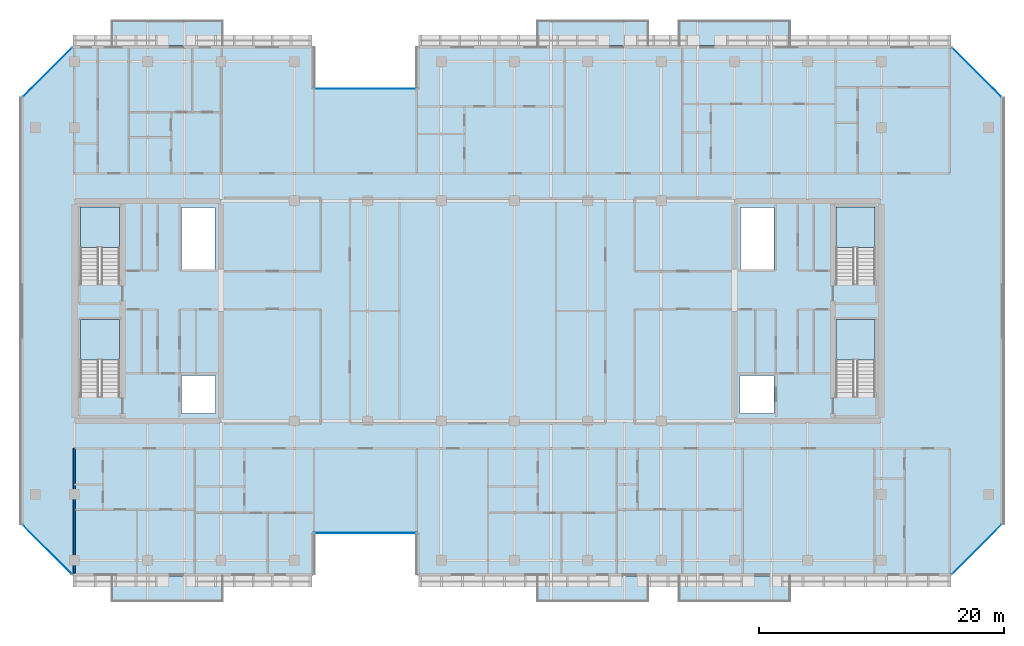
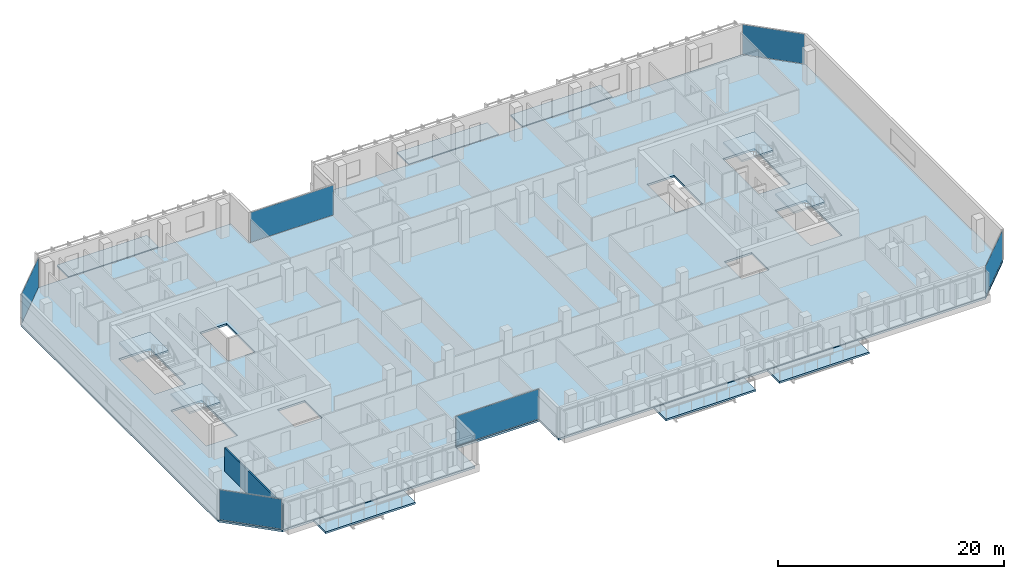
# One storey, part 18 of 31: 11 slabs, 6 plates, 1 wall, 10 elements without a shape of their own.
"""IFC4 building model written with IfcOpenShell, lengths in metres."""

from ifc_helpers import new_model, si_unit, direction, frame, frame_2d, origin, origin_2d, place, context, subcontext, project, spatial, polyline, rectangle, outline, extrude, material, layer, layer_set, type_object, element, aggregate, save


model = new_model("IFC4")

# Units and contexts
model_context = context("Model", 3, precision=1e-05, world=origin(), true_north=direction((0.0, 1.0)))
body_context = subcontext(model_context, "Body", "Model", "MODEL_VIEW")
ifc_project = project(units=[si_unit("LENGTHUNIT", "METRE"), si_unit("AREAUNIT", "SQUARE_METRE"), si_unit("VOLUMEUNIT", "CUBIC_METRE"), si_unit("PLANEANGLEUNIT", "RADIAN"), si_unit("MASSUNIT", "GRAM", prefix="KILO")], contexts=[model_context])

# Site, building, storey
site_placement = place(None, origin())
site = spatial("IfcSite", under=ifc_project, at=site_placement, CompositionType="ELEMENT")
building_placement = place(site_placement, origin())
building = spatial("IfcBuilding", under=site, at=building_placement, Name="Tanjung Sevakor Pilgrim Tower", CompositionType="ELEMENT")
storey_placement = place(building_placement, frame((0.0, 0.0, 169.2900390625)))
storey = spatial("IfcBuildingStorey", under=building, at=storey_placement, Name="L47", CompositionType="ELEMENT", Elevation=169.2900390625)

# Slabs
ifc_material_1 = material(Name="Concrete C40/50", Category="concrete")
ifc_layer_1 = layer(ifc_material_1, 0.199951171875)
ifc_layer_set_1 = layer_set([ifc_layer_1], Name="SL-BAL-200")
slab_type_1 = type_object("IfcSlabType", Name="SL-BAL-200", PredefinedType="FLOOR", material=ifc_layer_set_1)
slab_1_placement = place(storey_placement, frame((0.0, 0.0, -0.199951171875)))
element("IfcSlab", 1, at=slab_1_placement, inside=storey, type_object=slab_type_1, Name="L47 Planted Loggia Balcony MAIN-S1", PredefinedType="FLOOR", context=body_context, shape_type="SweptSolid", body=[
    extrude(outline(polyline([(27.0, 9.800048828125), (36.199951171875, 9.800048828125), (36.199951171875, 11.89990234375), (27.0, 11.89990234375), (27.0, 9.800048828125)])), origin(), (0.0, 0.0, 1.0), 0.199951171875),
])
slab_2_placement = place(storey_placement, frame((0.0, 0.0, -0.199951171875)))
element("IfcSlab", 2, at=slab_2_placement, inside=storey, type_object=slab_type_1, Name="L47 Planted Loggia Balcony MAIN-N1", PredefinedType="FLOOR", context=body_context, shape_type="SweptSolid", body=[
    extrude(outline(polyline([(27.0, 55.300048828125), (36.199951171875, 55.300048828125), (36.199951171875, 57.39990234375), (27.0, 57.39990234375), (27.0, 55.300048828125)])), origin(), (0.0, 0.0, 1.0), 0.199951171875),
])
slab_3_placement = place(storey_placement, frame((0.0, 0.0, -0.199951171875)))
element("IfcSlab", 3, at=slab_3_placement, inside=storey, type_object=slab_type_1, Name="L47 Planted Loggia Balcony MAIN-S2", PredefinedType="FLOOR", context=body_context, shape_type="SweptSolid", body=[
    extrude(outline(polyline([(61.800048828125, 9.800048828125), (71.0, 9.800048828125), (71.0, 11.89990234375), (61.800048828125, 11.89990234375), (61.800048828125, 9.800048828125)])), origin(), (0.0, 0.0, 1.0), 0.199951171875),
])
slab_4_placement = place(storey_placement, frame((0.0, 0.0, -0.199951171875)))
element("IfcSlab", 4, at=slab_4_placement, inside=storey, type_object=slab_type_1, Name="L47 Planted Loggia Balcony MAIN-N2", PredefinedType="FLOOR", context=body_context, shape_type="SweptSolid", body=[
    extrude(outline(polyline([(61.800048828125, 55.300048828125), (71.0, 55.300048828125), (71.0, 57.39990234375), (61.800048828125, 57.39990234375), (61.800048828125, 55.300048828125)])), origin(), (0.0, 0.0, 1.0), 0.199951171875),
])
slab_5_placement = place(storey_placement, frame((0.0, 0.0, -0.199951171875)))
element("IfcSlab", 5, at=slab_5_placement, inside=storey, type_object=slab_type_1, Name="L47 Planted Loggia Balcony MAIN-S3", PredefinedType="FLOOR", context=body_context, shape_type="SweptSolid", body=[
    extrude(outline(polyline([(73.39990234375, 9.800048828125), (82.60009765625, 9.800048828125), (82.60009765625, 11.89990234375), (73.39990234375, 11.89990234375), (73.39990234375, 9.800048828125)])), origin(), (0.0, 0.0, 1.0), 0.199951171875),
])
slab_6_placement = place(storey_placement, frame((0.0, 0.0, -0.199951171875)))
element("IfcSlab", 6, at=slab_6_placement, inside=storey, type_object=slab_type_1, Name="L47 Planted Loggia Balcony MAIN-N3", PredefinedType="FLOOR", context=body_context, shape_type="SweptSolid", body=[
    extrude(outline(polyline([(73.39990234375, 55.300048828125), (82.60009765625, 55.300048828125), (82.60009765625, 57.39990234375), (73.39990234375, 57.39990234375), (73.39990234375, 55.300048828125)])), origin(), (0.0, 0.0, 1.0), 0.199951171875),
])

# Stair, slab
ifc_material_2 = material(Name="Concrete C40/50", Category="concrete")
stair_type = type_object("IfcStairType", Name="STAIR-ST-CR150", PredefinedType="HALF_TURN_STAIR", material=ifc_material_2)
stair_1_placement = place(storey_placement, origin())
stair_1 = element("IfcStair", 7, at=stair_1_placement, inside=storey, type_object=stair_type, Name="L47 West Core Exit Stair 1", PredefinedType="HALF_TURN_STAIR")
ifc_material_3 = material(Name="Concrete C40/50", Category="concrete")
ifc_layer_2 = layer(ifc_material_3, 0.199951171875)
ifc_layer_set_2 = layer_set([ifc_layer_2], Name="SL-LAND-200")
slab_type_2 = type_object("IfcSlabType", Name="SL-LAND-200", PredefinedType="LANDING", material=ifc_layer_set_2)
slab_7_placement = place(storey_placement, frame((0.0, 0.0, 1.614990234375)))
slab_7 = element("IfcSlab", 8, at=slab_7_placement, type_object=slab_type_2, Name="TS-W1 landing 1", PredefinedType="LANDING", context=body_context, shape_type="SweptSolid", body=[
    extrude(outline(polyline([(27.699951171875, 29.60009765625), (27.699951171875, 32.89990234375), (24.5, 32.89990234375), (24.5, 29.60009765625), (27.699951171875, 29.60009765625)])), origin(), (0.0, 0.0, 1.0), 0.199951171875),
])
aggregate(stair_1, [slab_7])

stair_2_placement = place(storey_placement, origin())
stair_2 = element("IfcStair", 9, at=stair_2_placement, inside=storey, type_object=stair_type, Name="L47 West Core Exit Stair 2", PredefinedType="HALF_TURN_STAIR")
slab_8_placement = place(storey_placement, frame((0.0, 0.0, 1.614990234375)))
slab_8 = element("IfcSlab", 10, at=slab_8_placement, type_object=slab_type_2, Name="TS-W2 landing 1", PredefinedType="LANDING", context=body_context, shape_type="SweptSolid", body=[
    extrude(outline(polyline([(27.699951171875, 38.800048828125), (27.699951171875, 42.10009765625), (24.5, 42.10009765625), (24.5, 38.800048828125), (27.699951171875, 38.800048828125)])), origin(), (0.0, 0.0, 1.0), 0.199951171875),
])
aggregate(stair_2, [slab_8])

stair_3_placement = place(storey_placement, origin())
stair_3 = element("IfcStair", 11, at=stair_3_placement, inside=storey, type_object=stair_type, Name="L47 East Core Exit Stair 1", PredefinedType="HALF_TURN_STAIR")
slab_9_placement = place(storey_placement, frame((0.0, 0.0, 1.614990234375)))
slab_9 = element("IfcSlab", 12, at=slab_9_placement, type_object=slab_type_2, Name="TS-E1 landing 1", PredefinedType="LANDING", context=body_context, shape_type="SweptSolid", body=[
    extrude(outline(polyline([(89.5, 29.60009765625), (89.5, 32.89990234375), (86.300048828125, 32.89990234375), (86.300048828125, 29.60009765625), (89.5, 29.60009765625)])), origin(), (0.0, 0.0, 1.0), 0.199951171875),
])
aggregate(stair_3, [slab_9])

stair_4_placement = place(storey_placement, origin())
stair_4 = element("IfcStair", 13, at=stair_4_placement, inside=storey, type_object=stair_type, Name="L47 East Core Exit Stair 2", PredefinedType="HALF_TURN_STAIR")
slab_10_placement = place(storey_placement, frame((0.0, 0.0, 1.614990234375)))
slab_10 = element("IfcSlab", 14, at=slab_10_placement, type_object=slab_type_2, Name="TS-E2 landing 1", PredefinedType="LANDING", context=body_context, shape_type="SweptSolid", body=[
    extrude(outline(polyline([(89.5, 38.800048828125), (89.5, 42.10009765625), (86.300048828125, 42.10009765625), (86.300048828125, 38.800048828125), (89.5, 38.800048828125)])), origin(), (0.0, 0.0, 1.0), 0.199951171875),
])
aggregate(stair_4, [slab_10])

# Slab
ifc_material_4 = material(Name="Concrete C40/50", Category="concrete")
ifc_layer_3 = layer(ifc_material_4, 0.219970703125)
ifc_layer_set_3 = layer_set([ifc_layer_3], Name="SL-TWR-220")
slab_type_3 = type_object("IfcSlabType", Name="SL-TWR-220", PredefinedType="FLOOR", material=ifc_layer_set_3)
slab_11_placement = place(storey_placement, frame((0.0, 0.0, -0.219970703125)))
element("IfcSlab", 15, at=slab_11_placement, inside=storey, type_object=slab_type_3, Name="L47 Floor Slab MAIN", PredefinedType="FLOOR", context=body_context, shape_type="SweptSolid", body=[
    extrude(outline(polyline([(23.846923828125, 11.97998046875), (43.52001953125, 11.97998046875), (43.52001953125, 15.3798828125), (52.080078125, 15.3798828125), (52.080078125, 11.97998046875), (95.753173828125, 11.97998046875), (99.919921875, 16.14697265625), (99.919921875, 51.052978515625), (95.753173828125, 55.219970703125), (52.080078125, 55.219970703125), (52.080078125, 51.820068359375), (43.52001953125, 51.820068359375), (43.52001953125, 55.219970703125), (23.846923828125, 55.219970703125), (19.679931640625, 51.052978515625), (19.679931640625, 16.14697265625), (23.846923828125, 11.97998046875)]), holes=[polyline([(27.699951171875, 26.60009765625), (27.699951171875, 32.89990234375), (24.5, 32.89990234375), (24.5, 26.60009765625), (27.699951171875, 26.60009765625)]), polyline([(27.699951171875, 35.800048828125), (27.699951171875, 42.10009765625), (24.5, 42.10009765625), (24.5, 35.800048828125), (27.699951171875, 35.800048828125)]), polyline([(89.5, 26.60009765625), (89.5, 32.89990234375), (86.300048828125, 32.89990234375), (86.300048828125, 26.60009765625), (89.5, 26.60009765625)]), polyline([(89.5, 35.800048828125), (89.5, 42.10009765625), (86.300048828125, 42.10009765625), (86.300048828125, 35.800048828125), (89.5, 35.800048828125)]), polyline([(32.75, 25.199951171875), (35.550048828125, 25.199951171875), (35.550048828125, 28.300048828125), (32.75, 28.300048828125), (32.75, 25.199951171875)]), polyline([(32.75, 37.0), (35.5, 37.0), (35.5, 42.050048828125), (32.75, 42.050048828125), (32.75, 37.0)]), polyline([(78.449951171875, 25.199951171875), (81.25, 25.199951171875), (81.25, 28.300048828125), (78.449951171875, 28.300048828125), (78.449951171875, 25.199951171875)]), polyline([(78.5, 37.0), (81.25, 37.0), (81.25, 42.050048828125), (78.5, 42.050048828125), (78.5, 37.0)])]), origin(), (0.0, 0.0, 1.0), 0.219970703125),
])

# Curtain wall, plate
ifc_material_5 = material(Name="Aluminium 6063-T6 and Low-E Glass", Category="aluminium")
ifc_layer_4 = layer(ifc_material_5, 0.179931640625)
ifc_layer_set_4 = layer_set([ifc_layer_4], Name="CW-SYS-CLEFT")
curtain_wall_type_1 = type_object("IfcCurtainWallType", Name="CW-SYS-CLEFT", PredefinedType="NOTDEFINED", material=ifc_layer_set_4)
curtain_wall_1_placement = place(storey_placement, origin())
curtain_wall_1 = element("IfcCurtainWall", 16, at=curtain_wall_1_placement, inside=storey, type_object=curtain_wall_type_1, Name="L47 Curtain Wall CW-CLF-L47-2", PredefinedType="NOTDEFINED")
ifc_material_6 = material(Name="Laminated Low-E Double Glazing", Category="glass")
ifc_layer_5 = layer(ifc_material_6, 0.028076171875)
ifc_layer_set_5 = layer_set([ifc_layer_5], Name="TYPE-CWP-GLZ1")
plate_type = type_object("IfcPlateType", Name="TYPE-CWP-GLZ1", PredefinedType="CURTAIN_PANEL", material=ifc_layer_set_5)
plate_1_placement = place(storey_placement, frame((47.800048828125, 15.425048828125, 0.06494140625), z_axis=(0.0, 0.0, 1.0), x_axis=(1.0, 0.0, 0.0)))
plate_1 = element("IfcPlate", 17, at=plate_1_placement, type_object=plate_type, Name="CW-CLF panel 1.1", PredefinedType="CURTAIN_PANEL", context=body_context, shape_type="SweptSolid", body=[
    extrude(rectangle(XDim=8.5, YDim=0.028076171875, at=origin_2d()), origin(), (0.0, 0.0, 1.0), 3.219970703125),
])
aggregate(curtain_wall_1, [plate_1])

ifc_material_7 = material(Name="Aluminium 6063-T6 and Low-E Glass", Category="aluminium")
ifc_layer_6 = layer(ifc_material_7, 0.179931640625)
ifc_layer_set_6 = layer_set([ifc_layer_6], Name="CW-SYS-CHAM")
curtain_wall_type_2 = type_object("IfcCurtainWallType", Name="CW-SYS-CHAM", PredefinedType="NOTDEFINED", material=ifc_layer_set_6)
curtain_wall_2_placement = place(storey_placement, origin())
curtain_wall_2 = element("IfcCurtainWall", 18, at=curtain_wall_2_placement, inside=storey, type_object=curtain_wall_type_2, Name="L47 Curtain Wall CW-CHM-L47-MAIN-5", PredefinedType="NOTDEFINED")
plate_2_placement = place(storey_placement, frame((97.8115234375, 14.08837890625, 0.06494140625), z_axis=(0.0, 0.0, 1.0), x_axis=(0.707106781187, 0.707106781187, 0.0)))
plate_2 = element("IfcPlate", 19, at=plate_2_placement, type_object=plate_type, Name="CW-CHM panel 1.1", PredefinedType="CURTAIN_PANEL", context=body_context, shape_type="SweptSolid", body=[
    extrude(rectangle(XDim=5.7060546875, YDim=0.028076171875, at=origin_2d()), origin(), (0.0, 0.0, 1.0), 3.219970703125),
])
aggregate(curtain_wall_2, [plate_2])

curtain_wall_3_placement = place(storey_placement, origin())
curtain_wall_3 = element("IfcCurtainWall", 20, at=curtain_wall_3_placement, inside=storey, type_object=curtain_wall_type_2, Name="L47 Curtain Wall CW-CHM-L47-MAIN-7", PredefinedType="NOTDEFINED")
plate_3_placement = place(storey_placement, frame((97.8115234375, 53.111572265625, 0.06494140625), z_axis=(0.0, 0.0, 1.0), x_axis=(-0.707106781187, 0.707106781187, 0.0)))
plate_3 = element("IfcPlate", 21, at=plate_3_placement, type_object=plate_type, Name="CW-CHM panel 1.1", PredefinedType="CURTAIN_PANEL", context=body_context, shape_type="SweptSolid", body=[
    extrude(rectangle(XDim=5.7060546875, YDim=0.028076171875, at=origin_2d()), origin(), (0.0, 0.0, 1.0), 3.219970703125),
])
aggregate(curtain_wall_3, [plate_3])

curtain_wall_4_placement = place(storey_placement, origin())
curtain_wall_4 = element("IfcCurtainWall", 22, at=curtain_wall_4_placement, inside=storey, type_object=curtain_wall_type_1, Name="L47 Curtain Wall CW-CLF-L47-10", PredefinedType="NOTDEFINED")
plate_4_placement = place(storey_placement, frame((47.800048828125, 51.77490234375, 0.06494140625), z_axis=(0.0, 0.0, 1.0), x_axis=(-1.0, 0.0, 0.0)))
plate_4 = element("IfcPlate", 23, at=plate_4_placement, type_object=plate_type, Name="CW-CLF panel 1.1", PredefinedType="CURTAIN_PANEL", context=body_context, shape_type="SweptSolid", body=[
    extrude(rectangle(XDim=8.5, YDim=0.028076171875, at=origin_2d()), origin(), (0.0, 0.0, 1.0), 3.219970703125),
])
aggregate(curtain_wall_4, [plate_4])

curtain_wall_5_placement = place(storey_placement, origin())
curtain_wall_5 = element("IfcCurtainWall", 24, at=curtain_wall_5_placement, inside=storey, type_object=curtain_wall_type_2, Name="L47 Curtain Wall CW-CHM-L47-MAIN-13", PredefinedType="NOTDEFINED")
plate_5_placement = place(storey_placement, frame((21.788330078125, 53.111572265625, 0.06494140625), z_axis=(0.0, 0.0, 1.0), x_axis=(-0.707106781187, -0.707106781187, 0.0)))
plate_5 = element("IfcPlate", 25, at=plate_5_placement, type_object=plate_type, Name="CW-CHM panel 1.1", PredefinedType="CURTAIN_PANEL", context=body_context, shape_type="SweptSolid", body=[
    extrude(rectangle(XDim=5.7060546875, YDim=0.028076171875, at=origin_2d()), origin(), (0.0, 0.0, 1.0), 3.219970703125),
])
aggregate(curtain_wall_5, [plate_5])

curtain_wall_6_placement = place(storey_placement, origin())
curtain_wall_6 = element("IfcCurtainWall", 26, at=curtain_wall_6_placement, inside=storey, type_object=curtain_wall_type_2, Name="L47 Curtain Wall CW-CHM-L47-MAIN-15", PredefinedType="NOTDEFINED")
plate_6_placement = place(storey_placement, frame((21.788330078125, 14.08837890625, 0.06494140625), z_axis=(0.0, 0.0, 1.0), x_axis=(0.707106781187, -0.707106781187, 0.0)))
plate_6 = element("IfcPlate", 27, at=plate_6_placement, type_object=plate_type, Name="CW-CHM panel 1.1", PredefinedType="CURTAIN_PANEL", context=body_context, shape_type="SweptSolid", body=[
    extrude(rectangle(XDim=5.7060546875, YDim=0.028076171875, at=origin_2d()), origin(), (0.0, 0.0, 1.0), 3.219970703125),
])
aggregate(curtain_wall_6, [plate_6])

# Wall
ifc_material_8 = material(Name="Concrete C40/50", Category="concrete")
ifc_layer_7 = layer(ifc_material_8, 0.14990234375)
ifc_layer_set_7 = layer_set([ifc_layer_7], Name="WT-COMP-150")
wall_type = type_object("IfcWallType", Name="WT-COMP-150", PredefinedType="SOLIDWALL", material=ifc_layer_set_7)
wall_placement = place(storey_placement, frame((24.0, 12.14990234375, 0.0), z_axis=(0.0, 0.0, 1.0), x_axis=(0.0, 1.0, 0.0)))
element("IfcWall", 28, at=wall_placement, inside=storey, type_object=wall_type, Name="L47 Partition IW-L47-065", PredefinedType="SOLIDWALL", context=body_context, shape_type="SweptSolid", body=[
    extrude(rectangle(XDim=10.2001953125, YDim=0.14990234375, at=frame_2d((5.10009765625, 0.0))), origin(), (0.0, 0.0, 1.0), 2.570068359375),
])

save(model, "model.ifc")
